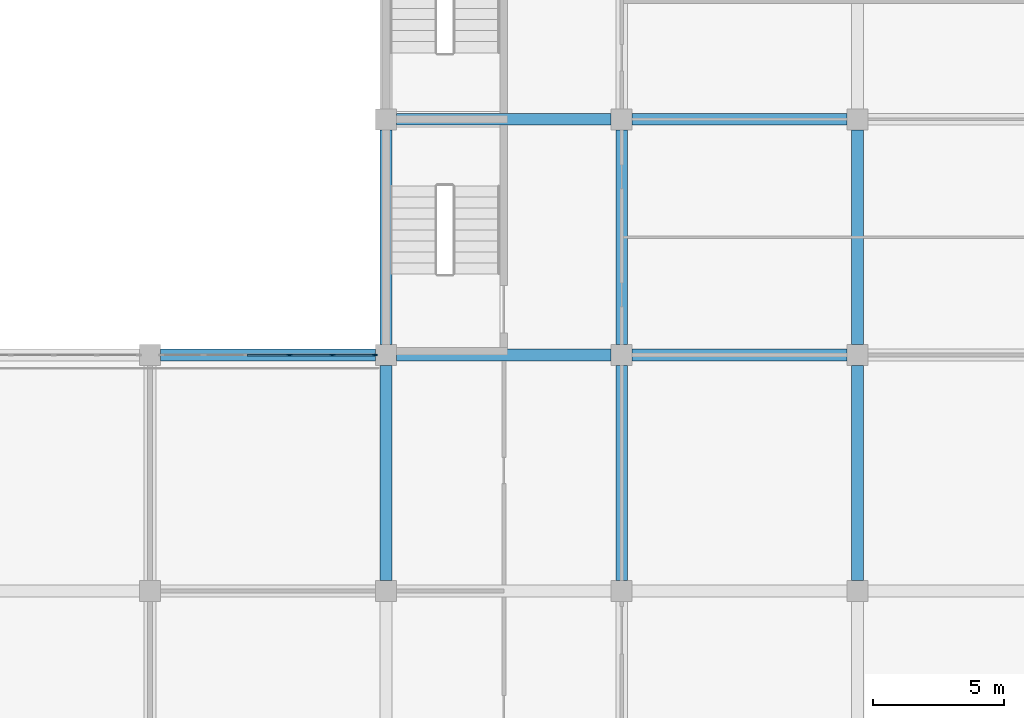
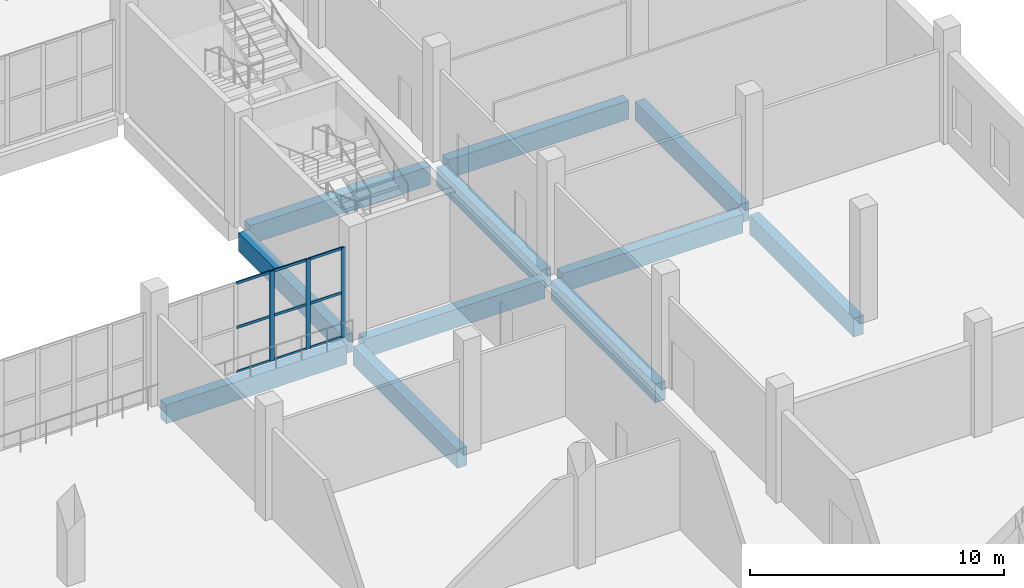
# One storey, part 23 of 185: 12 members, 11 beams, 1 element without a shape of its own.
"""IFC4 building model written with IfcOpenShell, lengths in metres."""

from ifc_helpers import new_model, si_unit, direction, frame, origin, origin_2d, place, context, subcontext, project, spatial, rectangle, extrude, material, layer, layer_set, material_profile, profile_set, type_object, element, aggregate, save


model = new_model("IFC4")

# Units and contexts
model_context = context("Model", 3, precision=1e-05, world=origin(), true_north=direction((0.0, 1.0)))
body_context = subcontext(model_context, "Body", "Model", "MODEL_VIEW")
ifc_project = project(units=[si_unit("LENGTHUNIT", "METRE"), si_unit("AREAUNIT", "SQUARE_METRE"), si_unit("VOLUMEUNIT", "CUBIC_METRE"), si_unit("PLANEANGLEUNIT", "RADIAN"), si_unit("MASSUNIT", "GRAM", prefix="KILO")], contexts=[model_context])

# Site, building, storey
site_placement = place(None, origin())
site = spatial("IfcSite", under=ifc_project, at=site_placement, CompositionType="ELEMENT")
building_placement = place(site_placement, origin())
building = spatial("IfcBuilding", under=site, at=building_placement, Name="Opaline Strait Convention Centre", CompositionType="ELEMENT")
storey_placement = place(building_placement, frame((0.0, 0.0, 6.0)))
storey = spatial("IfcBuildingStorey", under=building, at=storey_placement, Name="L01", CompositionType="ELEMENT", Elevation=6.0)

# Curtain wall, members
ifc_material_1 = material(Name="Aluminium framed double glazing", Category="aluminium")
ifc_layer = layer(ifc_material_1, 0.199951171875)
ifc_layer_set = layer_set([ifc_layer], Name="Aluminium framed double glazing")
curtain_wall_type = type_object("IfcCurtainWallType", Name="Curtain wall 1500 module", PredefinedType="NOTDEFINED", material=ifc_layer_set)
curtain_wall_placement = place(storey_placement, origin())
curtain_wall = element("IfcCurtainWall", 1, at=curtain_wall_placement, inside=storey, type_object=curtain_wall_type, Name="L01 court glazing Sc 2", PredefinedType="NOTDEFINED")
ifc_material_2 = material(Name="Aluminium alloy 6063", Category="aluminium")
ifc_material_profile_1 = material_profile(ifc_material_2, rectangle(XDim=0.06005859375, YDim=0.199951171875, at=origin_2d()), Name="Curtain wall mullion 60x200")
ifc_profile_set_1 = profile_set([ifc_material_profile_1], Name="Aluminium alloy 6063")
member_type_1 = type_object("IfcMemberType", Name="Curtain wall mullion 60x200", PredefinedType="MULLION", material=ifc_profile_set_1)
member_1_placement = place(storey_placement, frame((50.320068359375, 45.0, 0.0), z_axis=(0.0, 0.0, 1.0), x_axis=(0.0, 1.0, 0.0)))
member_1 = element("IfcMember", 2, at=member_1_placement, type_object=member_type_1, Name="RCW1 mullion 4", PredefinedType="MULLION", context=body_context, shape_type="SweptSolid", body=[
    extrude(rectangle(XDim=0.06005859375, YDim=0.199951171875, at=origin_2d()), origin(), (0.0, 0.0, 1.0), 4.320068359375),
])
member_2_placement = place(storey_placement, frame((51.9599609375, 45.0, 0.0), z_axis=(0.0, 0.0, 1.0), x_axis=(0.0, 1.0, 0.0)))
member_2 = element("IfcMember", 3, at=member_2_placement, type_object=member_type_1, Name="RCW1 mullion 5", PredefinedType="MULLION", context=body_context, shape_type="SweptSolid", body=[
    extrude(rectangle(XDim=0.06005859375, YDim=0.199951171875, at=origin_2d()), origin(), (0.0, 0.0, 1.0), 4.320068359375),
])
member_3_placement = place(storey_placement, frame((53.570068359375, 45.0, 0.0), z_axis=(0.0, 0.0, 1.0), x_axis=(0.0, 1.0, 0.0)))
member_3 = element("IfcMember", 4, at=member_3_placement, type_object=member_type_1, Name="RCW1 mullion 6", PredefinedType="MULLION", context=body_context, shape_type="SweptSolid", body=[
    extrude(rectangle(XDim=0.06005859375, YDim=0.199951171875, at=origin_2d()), origin(), (0.0, 0.0, 1.0), 4.320068359375),
])
ifc_material_profile_2 = material_profile(ifc_material_2, rectangle(XDim=0.06005859375, YDim=0.1201171875, at=origin_2d()), Name="Curtain wall transom 60x120")
ifc_profile_set_2 = profile_set([ifc_material_profile_2], Name="Aluminium alloy 6063")
member_type_2 = type_object("IfcMemberType", Name="Curtain wall transom 60x120", PredefinedType="USERDEFINED", material=ifc_profile_set_2)
member_4_placement = place(storey_placement, frame((48.7099609375, 45.0, 0.030029296875), z_axis=(1.0, 0.0, 0.0), x_axis=(0.0, 1.0, 0.0)))
member_4 = element("IfcMember", 5, at=member_4_placement, type_object=member_type_2, Name="RCW1 transom 3.1", ObjectType="TRANSOM", PredefinedType="USERDEFINED", context=body_context, shape_type="SweptSolid", body=[
    extrude(rectangle(XDim=0.06005859375, YDim=0.1201171875, at=origin_2d()), origin(), (0.0, 0.0, 1.0), 1.580078125),
])
member_5_placement = place(storey_placement, frame((48.7099609375, 45.0, 2.159912109375), z_axis=(1.0, 0.0, 0.0), x_axis=(0.0, 1.0, 0.0)))
member_5 = element("IfcMember", 6, at=member_5_placement, type_object=member_type_2, Name="RCW1 transom 3.2", ObjectType="TRANSOM", PredefinedType="USERDEFINED", context=body_context, shape_type="SweptSolid", body=[
    extrude(rectangle(XDim=0.06005859375, YDim=0.1201171875, at=origin_2d()), origin(), (0.0, 0.0, 1.0), 1.580078125),
])
member_6_placement = place(storey_placement, frame((48.7099609375, 45.0, 4.2900390625), z_axis=(1.0, 0.0, 0.0), x_axis=(0.0, 1.0, 0.0)))
member_6 = element("IfcMember", 7, at=member_6_placement, type_object=member_type_2, Name="RCW1 transom 3.3", ObjectType="TRANSOM", PredefinedType="USERDEFINED", context=body_context, shape_type="SweptSolid", body=[
    extrude(rectangle(XDim=0.06005859375, YDim=0.1201171875, at=origin_2d()), origin(), (0.0, 0.0, 1.0), 1.580078125),
])
member_7_placement = place(storey_placement, frame((50.35009765625, 45.0, 0.030029296875), z_axis=(1.0, 0.0, 0.0), x_axis=(0.0, 1.0, 0.0)))
member_7 = element("IfcMember", 8, at=member_7_placement, type_object=member_type_2, Name="RCW1 transom 4.1", ObjectType="TRANSOM", PredefinedType="USERDEFINED", context=body_context, shape_type="SweptSolid", body=[
    extrude(rectangle(XDim=0.06005859375, YDim=0.1201171875, at=origin_2d()), origin(), (0.0, 0.0, 1.0), 1.580078125),
])
member_8_placement = place(storey_placement, frame((50.35009765625, 45.0, 2.159912109375), z_axis=(1.0, 0.0, 0.0), x_axis=(0.0, 1.0, 0.0)))
member_8 = element("IfcMember", 9, at=member_8_placement, type_object=member_type_2, Name="RCW1 transom 4.2", ObjectType="TRANSOM", PredefinedType="USERDEFINED", context=body_context, shape_type="SweptSolid", body=[
    extrude(rectangle(XDim=0.06005859375, YDim=0.1201171875, at=origin_2d()), origin(), (0.0, 0.0, 1.0), 1.580078125),
])
member_9_placement = place(storey_placement, frame((50.35009765625, 45.0, 4.2900390625), z_axis=(1.0, 0.0, 0.0), x_axis=(0.0, 1.0, 0.0)))
member_9 = element("IfcMember", 10, at=member_9_placement, type_object=member_type_2, Name="RCW1 transom 4.3", ObjectType="TRANSOM", PredefinedType="USERDEFINED", context=body_context, shape_type="SweptSolid", body=[
    extrude(rectangle(XDim=0.06005859375, YDim=0.1201171875, at=origin_2d()), origin(), (0.0, 0.0, 1.0), 1.580078125),
])
member_10_placement = place(storey_placement, frame((51.989990234375, 45.0, 0.030029296875), z_axis=(1.0, 0.0, 0.0), x_axis=(0.0, 1.0, 0.0)))
member_10 = element("IfcMember", 11, at=member_10_placement, type_object=member_type_2, Name="RCW1 transom 5.1", ObjectType="TRANSOM", PredefinedType="USERDEFINED", context=body_context, shape_type="SweptSolid", body=[
    extrude(rectangle(XDim=0.06005859375, YDim=0.1201171875, at=origin_2d()), origin(), (0.0, 0.0, 1.0), 1.550048828125),
])
member_11_placement = place(storey_placement, frame((51.989990234375, 45.0, 2.159912109375), z_axis=(1.0, 0.0, 0.0), x_axis=(0.0, 1.0, 0.0)))
member_11 = element("IfcMember", 12, at=member_11_placement, type_object=member_type_2, Name="RCW1 transom 5.2", ObjectType="TRANSOM", PredefinedType="USERDEFINED", context=body_context, shape_type="SweptSolid", body=[
    extrude(rectangle(XDim=0.06005859375, YDim=0.1201171875, at=origin_2d()), origin(), (0.0, 0.0, 1.0), 1.550048828125),
])
member_12_placement = place(storey_placement, frame((51.989990234375, 45.0, 4.2900390625), z_axis=(1.0, 0.0, 0.0), x_axis=(0.0, 1.0, 0.0)))
member_12 = element("IfcMember", 13, at=member_12_placement, type_object=member_type_2, Name="RCW1 transom 5.3", ObjectType="TRANSOM", PredefinedType="USERDEFINED", context=body_context, shape_type="SweptSolid", body=[
    extrude(rectangle(XDim=0.06005859375, YDim=0.1201171875, at=origin_2d()), origin(), (0.0, 0.0, 1.0), 1.550048828125),
])
aggregate(curtain_wall, [member_1, member_2, member_3, member_4, member_5, member_6, member_7, member_8, member_9, member_10, member_11, member_12])

# Beams
ifc_material_3 = material(Name="Concrete C35", Category="concrete")
ifc_material_profile_3 = material_profile(ifc_material_3, rectangle(XDim=0.449951171875, YDim=0.89990234375, at=origin_2d()), Name="RC 450x900")
ifc_profile_set_3 = profile_set([ifc_material_profile_3], Name="Concrete C35")
beam_type = type_object("IfcBeamType", Name="RC beam 450x900 C35", PredefinedType="BEAM", material=ifc_profile_set_3)
for number, where, z_axis, x_axis, name in (
    (14, (45.39990234375, 45.0, -0.72998046875), (1.0, 0.0, 0.0), (0.0, 1.0, 0.0), "XB1 L01 45/45-54/45"),
    (15, (54.39990234375, 45.0, -0.72998046875), (1.0, 0.0, 0.0), (0.0, 1.0, 0.0), "XB1 L01 54/45-63/45"),
    (16, (63.39990234375, 45.0, -0.72998046875), (1.0, 0.0, 0.0), (0.0, 1.0, 0.0), "XB1 L01 63/45-72/45"),
    (17, (54.39990234375, 54.0, -0.72998046875), (1.0, 0.0, 0.0), (0.0, 1.0, 0.0), "XB1 L01 54/54-63/54"),
    (18, (63.39990234375, 54.0, -0.72998046875), (1.0, 0.0, 0.0), (0.0, 1.0, 0.0), "XB1 L01 63/54-72/54"),
    (19, (54.0, 36.39990234375, -0.72998046875), (0.0, 1.0, 0.0), (-1.0, 0.0, 0.0), "XB1 L01 54/36-54/45"),
    (20, (54.0, 45.39990234375, -0.72998046875), (0.0, 1.0, 0.0), (-1.0, 0.0, 0.0), "XB1 L01 54/45-54/54"),
    (21, (63.0, 36.39990234375, -0.72998046875), (0.0, 1.0, 0.0), (-1.0, 0.0, 0.0), "XB1 L01 63/36-63/45"),
    (22, (63.0, 45.39990234375, -0.72998046875), (0.0, 1.0, 0.0), (-1.0, 0.0, 0.0), "XB1 L01 63/45-63/54"),
    (23, (72.0, 36.39990234375, -0.72998046875), (0.0, 1.0, 0.0), (-1.0, 0.0, 0.0), "XB1 L01 72/36-72/45"),
    (24, (72.0, 45.39990234375, -0.72998046875), (0.0, 1.0, 0.0), (-1.0, 0.0, 0.0), "XB1 L01 72/45-72/54"),
):
    element("IfcBeam", number, at=place(storey_placement, frame(where, z_axis=z_axis, x_axis=x_axis)), inside=storey, type_object=beam_type, Name=name, PredefinedType="BEAM", context=body_context, shape_type="SweptSolid", body=[
        extrude(rectangle(XDim=0.449951171875, YDim=0.89990234375, at=origin_2d()), origin(), (0.0, 0.0, 1.0), 8.2001953125),
    ])

save(model, "model.ifc")
